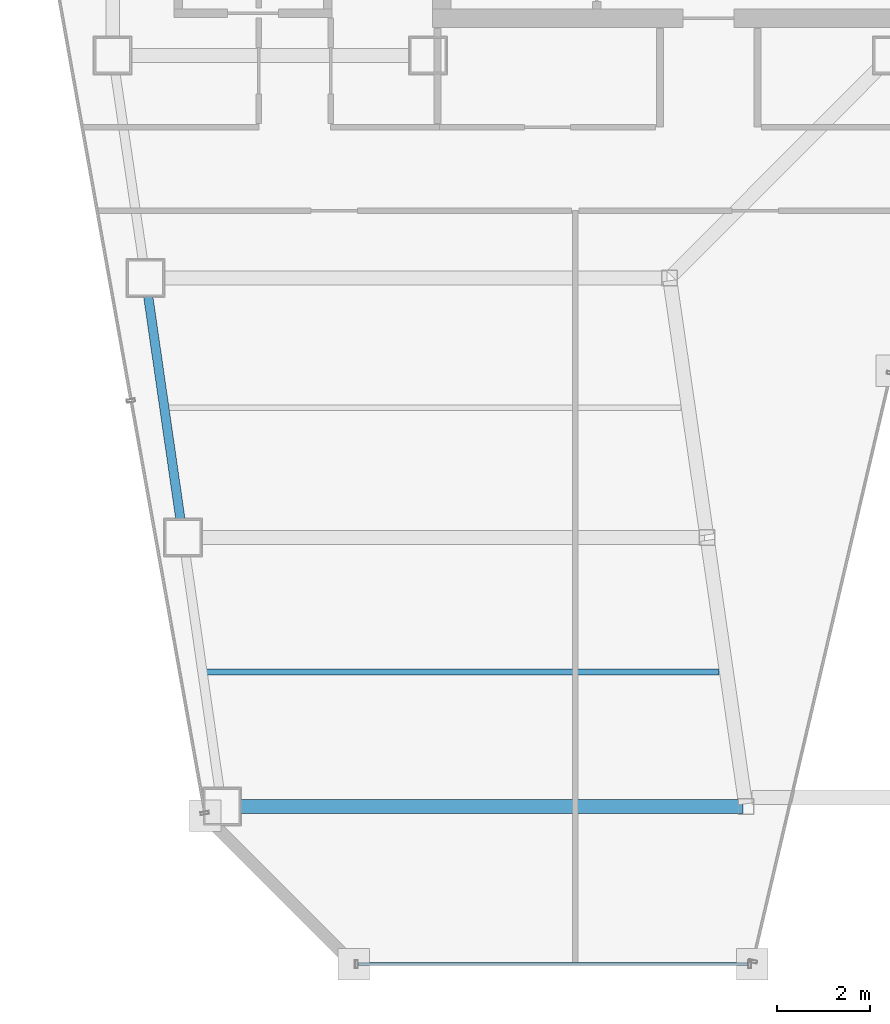
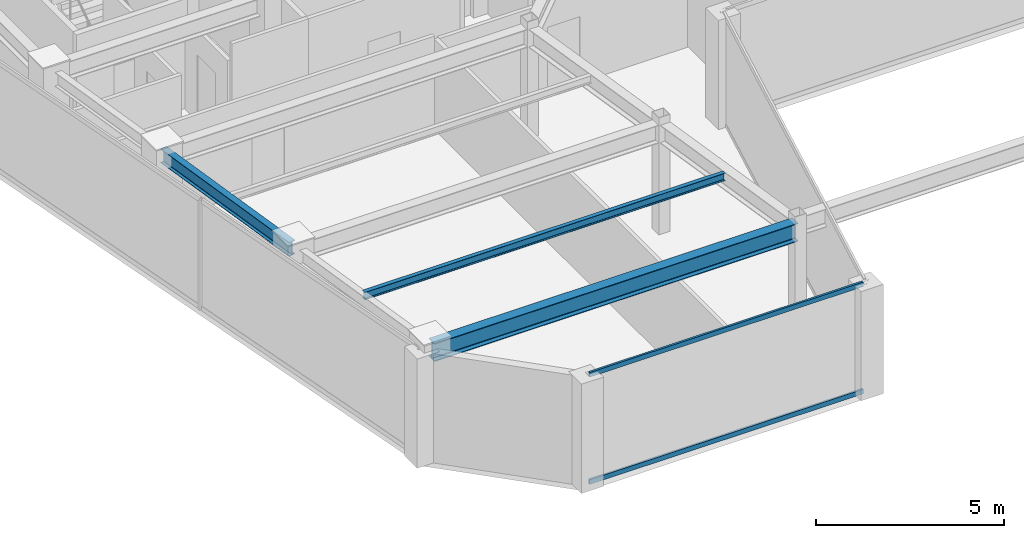
# One storey, part 4 of 32: 3 beams, 2 members, 1 element without a shape of its own.
"""IFC4 building model written with IfcOpenShell, lengths in metres."""

from ifc_helpers import new_model, si_unit, direction, frame, origin, origin_2d, place, context, subcontext, project, spatial, hollow_rectangle, i_section, extrude, material, material_profile, profile_set, type_object, element, aggregate, save


model = new_model("IFC4")

# Units and contexts
model_context = context("Model", 3, precision=1e-05, world=origin(), true_north=direction((0.0, 1.0)))
body_context = subcontext(model_context, "Body", "Model", "MODEL_VIEW")
ifc_project = project(units=[si_unit("LENGTHUNIT", "METRE"), si_unit("AREAUNIT", "SQUARE_METRE"), si_unit("VOLUMEUNIT", "CUBIC_METRE"), si_unit("PLANEANGLEUNIT", "RADIAN"), si_unit("MASSUNIT", "GRAM", prefix="KILO")], contexts=[model_context])

# Site, building, storey
site_placement = place(None, origin())
site = spatial("IfcSite", under=ifc_project, at=site_placement, CompositionType="ELEMENT")
building_placement = place(site_placement, origin())
building = spatial("IfcBuilding", under=site, at=building_placement, Name="Saevonmaru Cultural Tower", CompositionType="ELEMENT")
storey_placement = place(building_placement, frame((0.0, 0.0, 257.199951171875)))
storey = spatial("IfcBuildingStorey", under=building, at=storey_placement, Name="L60", CompositionType="ELEMENT", Elevation=257.199951171875)

# Beams
ifc_material_1 = material(Name="Steel SM355", Category="steel")
ifc_material_profile_1 = material_profile(ifc_material_1, i_section(OverallWidth=0.300048828125, OverallDepth=0.587890625, WebThickness=0.011962890625, FlangeThickness=0.02001953125, FilletRadius=0.02392578125, at=origin_2d()), Name="H-588x300x12x20")
ifc_profile_set_1 = profile_set([ifc_material_profile_1], Name="Steel SM355")
beam_type_1 = type_object("IfcBeamType", Name="BM-G-H588", PredefinedType="BEAM", material=ifc_profile_set_1)
beam_1_placement = place(storey_placement, frame((9.214111328125, 26.199951171875, 3.256103515625), z_axis=(1.0, 0.0, 0.0), x_axis=(0.0, 1.0, 0.0)))
element("IfcBeam", 1, at=beam_1_placement, inside=storey, type_object=beam_type_1, Name="L60 West Wing Transverse Girder 1", PredefinedType="BEAM", context=body_context, shape_type="SweptSolid", body=[
    extrude(i_section(OverallWidth=0.300048828125, OverallDepth=0.587890625, WebThickness=0.011962890625, FlangeThickness=0.02001953125, FilletRadius=0.02392578125, at=origin_2d()), origin(), (0.0, 0.0, 1.0), 11.179931640625),
])
ifc_material_profile_2 = material_profile(ifc_material_1, i_section(OverallWidth=0.125, OverallDepth=0.25, WebThickness=0.006103515625, FlangeThickness=0.009033203125, FilletRadius=0.008056640625, at=origin_2d()), Name="H-250x125x6x9")
ifc_profile_set_2 = profile_set([ifc_material_profile_2], Name="Steel SM355")
beam_type_2 = type_object("IfcBeamType", Name="BM-J-H250", PredefinedType="JOIST", material=ifc_profile_set_2)
beam_2_placement = place(storey_placement, frame((8.79541015625, 29.10009765625, 3.425048828125), z_axis=(1.0, 0.0, 0.0), x_axis=(0.0, 1.0, 0.0)))
element("IfcBeam", 2, at=beam_2_placement, inside=storey, type_object=beam_type_2, Name="L60 West Wing Floor Joist 1", PredefinedType="JOIST", context=body_context, shape_type="SweptSolid", body=[
    extrude(i_section(OverallWidth=0.125, OverallDepth=0.25, WebThickness=0.006103515625, FlangeThickness=0.009033203125, FilletRadius=0.008056640625, at=origin_2d()), origin(), (0.0, 0.0, 1.0), 11.08203125),
])
ifc_material_profile_3 = material_profile(ifc_material_1, i_section(OverallWidth=0.199951171875, OverallDepth=0.449951171875, WebThickness=0.009033203125, FlangeThickness=0.013916015625, FilletRadius=0.01806640625, at=origin_2d()), Name="H-450x200x9x14")
ifc_profile_set_3 = profile_set([ifc_material_profile_3], Name="Steel SM355")
beam_type_3 = type_object("IfcBeamType", Name="BM-SP-H450", PredefinedType="SPANDREL", material=ifc_profile_set_3)
beam_3_placement = place(storey_placement, frame((8.308349609375, 32.059326171875, 3.324951171875), z_axis=(-0.142964121327, 0.989727871697, 0.0), x_axis=(-0.989727871697, -0.142964121327, 0.0)))
element("IfcBeam", 3, at=beam_3_placement, inside=storey, type_object=beam_type_3, Name="L60 West Splayed Spandrel 2", PredefinedType="SPANDREL", context=body_context, shape_type="SweptSolid", body=[
    extrude(i_section(OverallWidth=0.199951171875, OverallDepth=0.449951171875, WebThickness=0.009033203125, FlangeThickness=0.013916015625, FilletRadius=0.01806640625, at=origin_2d()), origin(), (0.0, 0.0, 1.0), 5.5380859375),
])

# Curtain wall, members
ifc_material_2 = material(Name="Satin Bronze Anodised Aluminium", Category="aluminium")
curtain_wall_type = type_object("IfcCurtainWallType", Name="CW-TYP-B", PredefinedType="NOTDEFINED", material=ifc_material_2)
curtain_wall_placement = place(storey_placement, origin())
curtain_wall = element("IfcCurtainWall", 4, at=curtain_wall_placement, inside=storey, type_object=curtain_wall_type, Name="L60 Unitised Curtain Wall E2", PredefinedType="NOTDEFINED")
ifc_material_profile_4 = material_profile(ifc_material_2, hollow_rectangle(XDim=0.06494140625, YDim=0.14990234375, WallThickness=0.00390625, at=origin_2d()), Name="ALU-TRAN-150x65x4")
ifc_profile_set_4 = profile_set([ifc_material_profile_4], Name="Satin Bronze Anodised Aluminium")
member_type = type_object("IfcMemberType", Name="TR-CW-150x65", PredefinedType="USERDEFINED", material=ifc_profile_set_4)
member_1_placement = place(storey_placement, frame((12.088134765625, 22.800048828125, 0.032470703125), z_axis=(1.0, 0.0, 0.0), x_axis=(0.0, 1.0, 0.0)))
member_1 = element("IfcMember", 5, at=member_1_placement, type_object=member_type, Name="CW-TW-L60-E2 transom 1.1", ObjectType="TRANSOM", PredefinedType="USERDEFINED", context=body_context, shape_type="SweptSolid", body=[
    extrude(hollow_rectangle(XDim=0.06494140625, YDim=0.14990234375, WallThickness=0.00390625, at=origin_2d()), origin(), (0.0, 0.0, 1.0), 8.4150390625),
])
member_2_placement = place(storey_placement, frame((12.088134765625, 22.800048828125, 3.517578125), z_axis=(1.0, 0.0, 0.0), x_axis=(0.0, 1.0, 0.0)))
member_2 = element("IfcMember", 6, at=member_2_placement, type_object=member_type, Name="CW-TW-L60-E2 transom 1.2", ObjectType="TRANSOM", PredefinedType="USERDEFINED", context=body_context, shape_type="SweptSolid", body=[
    extrude(hollow_rectangle(XDim=0.06494140625, YDim=0.14990234375, WallThickness=0.00390625, at=origin_2d()), origin(), (0.0, 0.0, 1.0), 8.4150390625),
])
aggregate(curtain_wall, [member_1, member_2])

save(model, "model.ifc")
